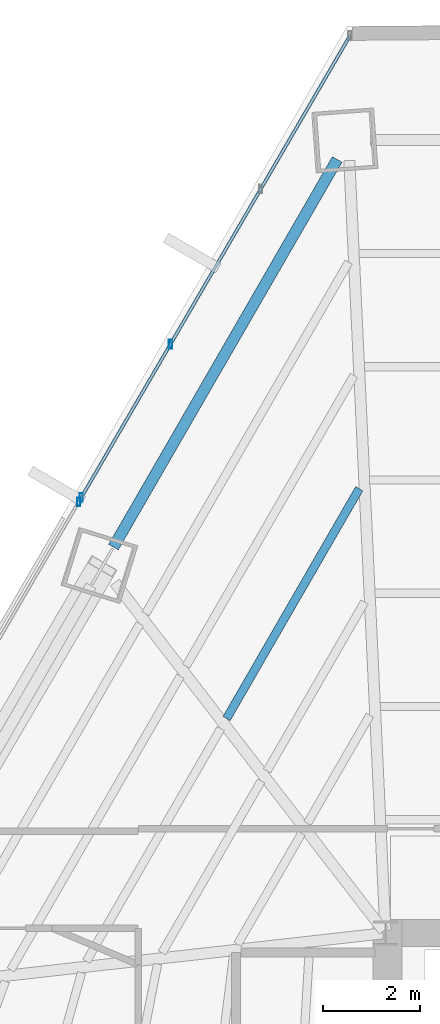
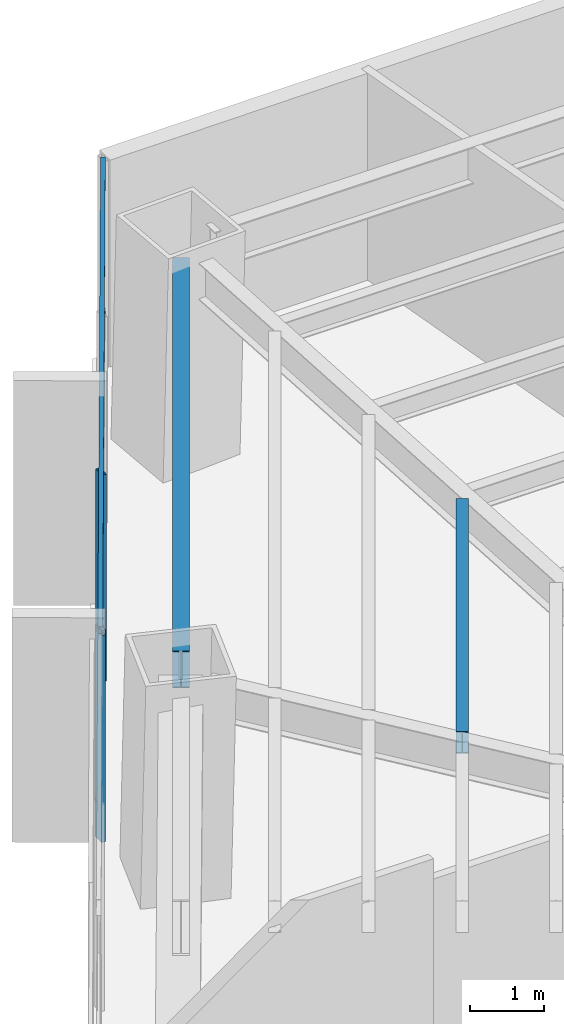
# One storey, part 26 of 38: 5 members, 2 beams, 2 elements without a shape of their own.
"""IFC4 building model written with IfcOpenShell, lengths in metres."""

from ifc_helpers import new_model, si_unit, direction, frame, origin, origin_2d, place, context, subcontext, project, spatial, hollow_rectangle, i_section, extrude, source, transform, mapped, material, material_profile, profile_set, type_object, type_shapes, element, aggregate, save


model = new_model("IFC4")

# Units and contexts
model_context = context("Model", 3, precision=1e-05, world=origin(), true_north=direction((0.0, 1.0)))
body_context = subcontext(model_context, "Body", "Model", "MODEL_VIEW")
ifc_project = project(units=[si_unit("LENGTHUNIT", "METRE"), si_unit("AREAUNIT", "SQUARE_METRE"), si_unit("VOLUMEUNIT", "CUBIC_METRE"), si_unit("PLANEANGLEUNIT", "RADIAN"), si_unit("MASSUNIT", "GRAM", prefix="KILO")], contexts=[model_context])

# Site, building, storey
site_placement = place(None, origin())
site = spatial("IfcSite", under=ifc_project, at=site_placement, CompositionType="ELEMENT")
building_placement = place(site_placement, origin())
building = spatial("IfcBuilding", under=site, at=building_placement, Name="Caelisora Broadcast Tower", CompositionType="ELEMENT")
storey_placement = place(building_placement, frame((0.0, 0.0, 67.75)))
storey = spatial("IfcBuildingStorey", under=building, at=storey_placement, Name="L17", CompositionType="ELEMENT", Elevation=67.75)

# Beams
ifc_material_1 = material(Name="Steel Grade 350 (AS/NZS 3679.1)", Category="steel")
ifc_material_profile_1 = material_profile(ifc_material_1, i_section(OverallWidth=0.22900390625, OverallDepth=0.611572265625, WebThickness=0.011962890625, FlangeThickness=0.01953125, at=origin_2d()), Name="Steel Grade 350 (AS/NZS 3679.1)")
ifc_profile_set_1 = profile_set([ifc_material_profile_1], Name="Steel Grade 350 (AS/NZS 3679.1)")
beam_type_1 = type_object("IfcBeamType", Name="PG03", PredefinedType="BEAM", material=ifc_profile_set_1)
shared_shape_1 = source(origin(), body_context, "Body", "SweptSolid", [
    extrude(i_section(OverallWidth=0.22900390625, OverallDepth=0.611572265625, WebThickness=0.011962890625, FlangeThickness=0.01953125, at=origin_2d()), origin(), (0.0, 0.0, 1.0), 9.22802734375),
])
type_shapes(beam_type_1, [shared_shape_1])
beam_1_placement = place(storey_placement, frame((29.5048828125, 45.95068359375, 3.09423828125), z_axis=(-0.500020165129, -0.866013761129, 0.0), x_axis=(0.866013761129, -0.500020165129, 0.0)))
element("IfcBeam", 1, at=beam_1_placement, inside=storey, type_object=beam_type_1, Name="L17 beam PG03", PredefinedType="BEAM", context=body_context, shape_type="MappedRepresentation", body=[
    mapped(shared_shape_1, transform((0.0, 0.0, 0.0), scale=1.0)),
])
ifc_material_profile_2 = material_profile(ifc_material_1, i_section(OverallWidth=0.172119140625, OverallDepth=0.358642578125, WebThickness=0.008056640625, FlangeThickness=0.012939453125, at=origin_2d()), Name="Steel Grade 350 (AS/NZS 3679.1)")
ifc_profile_set_2 = profile_set([ifc_material_profile_2], Name="Steel Grade 350 (AS/NZS 3679.1)")
beam_type_2 = type_object("IfcBeamType", Name="SB02", PredefinedType="JOIST", material=ifc_profile_set_2)
shared_shape_2 = source(origin(), body_context, "Body", "SweptSolid", [
    extrude(i_section(OverallWidth=0.172119140625, OverallDepth=0.358642578125, WebThickness=0.008056640625, FlangeThickness=0.012939453125, at=origin_2d()), origin(), (0.0, 0.0, 1.0), 5.470703125),
])
type_shapes(beam_type_2, [shared_shape_2])
beam_2_placement = place(storey_placement, frame((29.958740234375, 39.162109375, 3.220703125), z_axis=(-0.499998014425, -0.866026550154, 0.0), x_axis=(0.866026550154, -0.499998014425, 0.0)))
element("IfcBeam", 2, at=beam_2_placement, inside=storey, type_object=beam_type_2, Name="L17 beam SB02", PredefinedType="JOIST", context=body_context, shape_type="MappedRepresentation", body=[
    mapped(shared_shape_2, transform((0.0, 0.0, 0.0), scale=1.0)),
])

# Curtain wall, member
ifc_material_2 = material(Name="Unitised Aluminium Insulated Shadow-Box Spandrel Curtain Wall", Category="aluminium")
curtain_wall_type_1 = type_object("IfcCurtainWallType", Name="CW-SP1", PredefinedType="NOTDEFINED", material=ifc_material_2)
curtain_wall_1_placement = place(storey_placement, origin())
curtain_wall_1 = element("IfcCurtainWall", 3, at=curtain_wall_1_placement, inside=storey, type_object=curtain_wall_type_1, Name="L17 curtain wall CW-SP1", PredefinedType="NOTDEFINED")
ifc_material_3 = material(Name="Aluminium 6063-T6 Anodised Terracotta Bronze", Category="aluminium")
ifc_material_profile_3 = material_profile(ifc_material_3, hollow_rectangle(XDim=0.06494140625, YDim=0.179931640625, WallThickness=0.00341796875, at=origin_2d()), Name="Aluminium 6063-T6 Anodised Terracotta Bronze")
ifc_profile_set_3 = profile_set([ifc_material_profile_3], Name="Aluminium 6063-T6 Anodised Terracotta Bronze")
member_type_1 = type_object("IfcMemberType", Name="CWM-02", PredefinedType="MULLION", material=ifc_profile_set_3)
shared_shape_3 = source(origin(), body_context, "Body", "SweptSolid", [
    extrude(hollow_rectangle(XDim=0.06494140625, YDim=0.179931640625, WallThickness=0.00341796875, at=origin_2d()), origin(), (0.0, 0.0, 1.0), 3.39990234375),
])
type_shapes(member_type_1, [shared_shape_3])
member_1_placement = place(storey_placement, frame((24.174560546875, 38.888671875, 0.0), z_axis=(0.0, 0.0, 1.0), x_axis=(1.0, 0.0, 0.0)))
member_1 = element("IfcMember", 4, at=member_1_placement, type_object=member_type_1, Name="L17-CW-B10 mullion #3", PredefinedType="MULLION", context=body_context, shape_type="MappedRepresentation", body=[
    mapped(shared_shape_3, transform((0.0, 0.0, 0.0), scale=1.0)),
])
aggregate(curtain_wall_1, [member_1])

# Curtain wall, members
ifc_material_4 = material(Name="Unitised Aluminium and Low-E Glass Curtain Wall", Category="glass")
curtain_wall_type_2 = type_object("IfcCurtainWallType", Name="CW-Z1", PredefinedType="NOTDEFINED", material=ifc_material_4)
curtain_wall_2_placement = place(storey_placement, origin())
curtain_wall_2 = element("IfcCurtainWall", 5, at=curtain_wall_2_placement, inside=storey, type_object=curtain_wall_type_2, Name="L17 curtain wall CW-Z1", PredefinedType="NOTDEFINED")
member_2_placement = place(storey_placement, frame((24.229736328125, 38.983642578125, 0.0), z_axis=(0.0, 0.0, 1.0), x_axis=(1.0, 0.0, 0.0)))
member_2 = element("IfcMember", 6, at=member_2_placement, type_object=member_type_1, Name="L17-CW-B11 mullion #0", PredefinedType="MULLION", context=body_context, shape_type="MappedRepresentation", body=[
    mapped(shared_shape_3, transform((0.0, 0.0, 0.0), scale=1.0)),
])
member_3_placement = place(storey_placement, frame((26.06787109375, 42.142578125, 0.0), z_axis=(0.0, 0.0, 1.0), x_axis=(1.0, 0.0, 0.0)))
member_3 = element("IfcMember", 7, at=member_3_placement, type_object=member_type_1, Name="L17-CW-B11 mullion #1", PredefinedType="MULLION", context=body_context, shape_type="MappedRepresentation", body=[
    mapped(shared_shape_3, transform((0.0, 0.0, 0.0), scale=1.0)),
])
ifc_material_profile_4 = material_profile(ifc_material_3, hollow_rectangle(XDim=0.06494140625, YDim=0.179931640625, WallThickness=0.00341796875, at=origin_2d()), Name="Aluminium 6063-T6 Anodised Terracotta Bronze")
ifc_profile_set_4 = profile_set([ifc_material_profile_4], Name="Aluminium 6063-T6 Anodised Terracotta Bronze")
member_type_2 = type_object("IfcMemberType", Name="CWT-01", PredefinedType="USERDEFINED", material=ifc_profile_set_4)
shared_shape_4 = source(origin(), body_context, "Body", "SweptSolid", [
    extrude(hollow_rectangle(XDim=0.06494140625, YDim=0.179931640625, WallThickness=0.00341796875, at=origin_2d()), origin(), (0.0, 0.0, 1.0), 11.014404296875),
])
type_shapes(member_type_2, [shared_shape_4])
member_4_placement = place(storey_placement, frame((24.229736328125, 38.983642578125, 0.85009765625), z_axis=(0.502893578304, 0.864348337709, 0.0), x_axis=(-0.864348337709, 0.502893578304, 0.0)))
member_4 = element("IfcMember", 8, at=member_4_placement, type_object=member_type_2, Name="L17-CW-B11 transom #1", ObjectType="TRANSOM", PredefinedType="USERDEFINED", context=body_context, shape_type="MappedRepresentation", body=[
    mapped(shared_shape_4, transform((0.0, 0.0, 0.0), scale=1.0)),
])
member_5_placement = place(storey_placement, frame((24.229736328125, 38.983642578125, 3.320068359375), z_axis=(0.502893578304, 0.864348337709, 0.0), x_axis=(-0.864348337709, 0.502893578304, 0.0)))
member_5 = element("IfcMember", 9, at=member_5_placement, type_object=member_type_2, Name="L17-CW-B11 transom #2", ObjectType="TRANSOM", PredefinedType="USERDEFINED", context=body_context, shape_type="MappedRepresentation", body=[
    mapped(shared_shape_4, transform((0.0, 0.0, 0.0), scale=1.0)),
])
aggregate(curtain_wall_2, [member_2, member_3, member_4, member_5])

save(model, "model.ifc")
